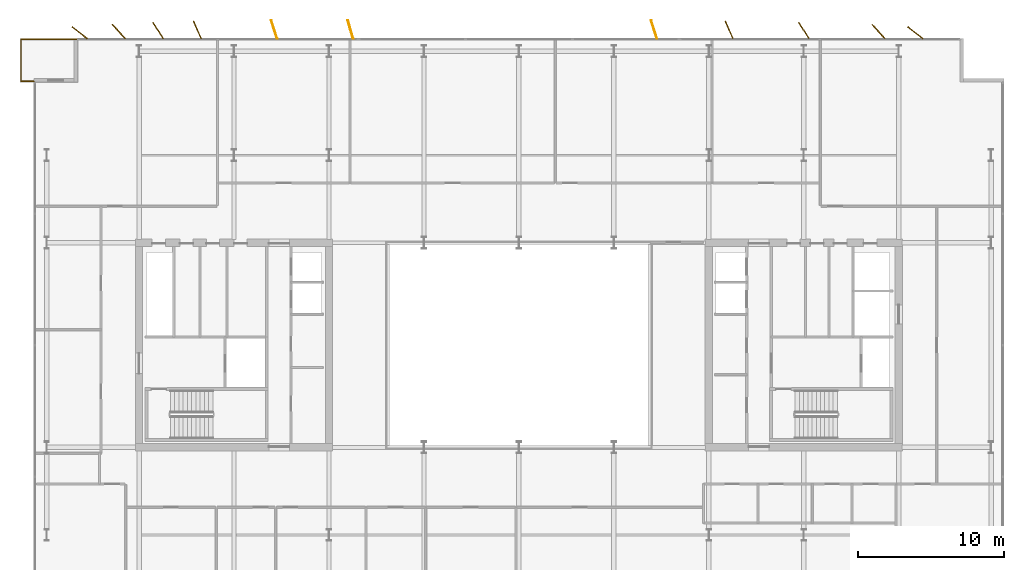
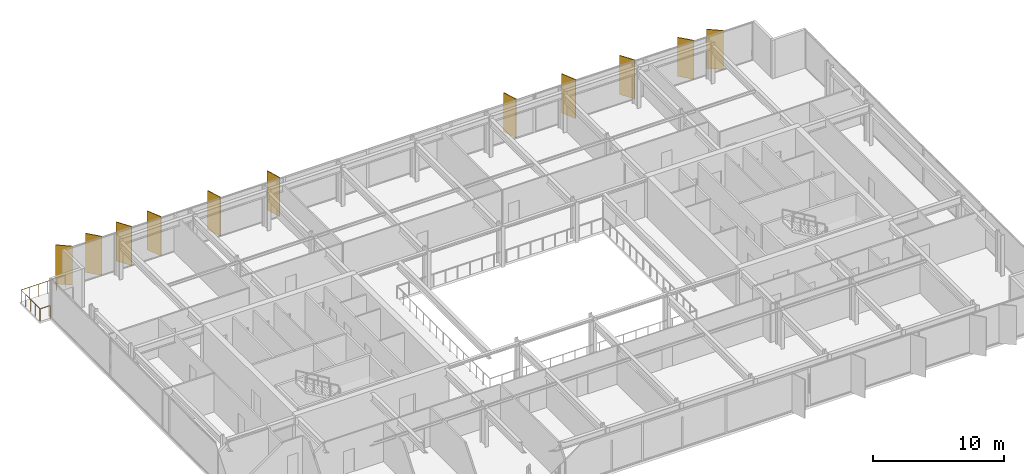
# One storey, part 23 of 23: 11 shading devices, 1 railing.
"""IFC4 building model written with IfcOpenShell, lengths in metres."""

from ifc_helpers import new_model, si_unit, direction, frame, origin, origin_2d, place, context, subcontext, project, spatial, rectangle, circle, extrude, material, layer, layer_set, type_object, element, save


model = new_model("IFC4")

# Units and contexts
model_context = context("Model", 3, precision=1e-05, world=origin(), true_north=direction((0.0, 1.0)))
body_context = subcontext(model_context, "Body", "Model", "MODEL_VIEW")
ifc_project = project(units=[si_unit("LENGTHUNIT", "METRE"), si_unit("AREAUNIT", "SQUARE_METRE"), si_unit("VOLUMEUNIT", "CUBIC_METRE"), si_unit("PLANEANGLEUNIT", "RADIAN"), si_unit("MASSUNIT", "GRAM", prefix="KILO")], contexts=[model_context])

# Site, building, storey
site_placement = place(None, origin())
site = spatial("IfcSite", under=ifc_project, at=site_placement, CompositionType="ELEMENT")
building_placement = place(site_placement, origin())
building = spatial("IfcBuilding", under=site, at=building_placement, Name="Putna Gate Headquarters", CompositionType="ELEMENT")
storey_placement = place(building_placement, frame((0.0, 0.0, 221.39990234375)))
storey = spatial("IfcBuildingStorey", under=building, at=storey_placement, Name="L55", CompositionType="ELEMENT", Elevation=221.39990234375)

# Railing
ifc_material_1 = material(Name="Anodised bronze steel and laminated glass guardrail", Category="steel")
railing_type = type_object("IfcRailingType", Name="RAIL-TERR-GUARD-1150", PredefinedType="GUARDRAIL", material=ifc_material_1)
railing_placement = place(storey_placement, frame((5.800048828125, 44.06005859375, 0.0)))
element("IfcRailing", 1, at=railing_placement, inside=storey, type_object=railing_type, Name="L55 Spiral Sky Terrace Guardrail NW", PredefinedType="GUARDRAIL", context=body_context, shape_type="SweptSolid", body=[
    extrude(circle(Radius=0.02392578125, at=origin_2d()), frame((0.0, 0.0, 1.1259765625), z_axis=(-1.0, 0.0, 0.0), x_axis=(0.0, -1.0, 0.0)), (0.0, 0.0, 1.0), 0.89013671875),
    extrude(circle(Radius=0.02392578125, at=origin_2d()), frame((-0.89013671875, 0.0, 1.1259765625), z_axis=(0.0, 1.0, 0.0), x_axis=(-1.0, 0.0, 0.0)), (0.0, 0.0, 1.0), 2.8798828125),
    extrude(circle(Radius=0.02392578125, at=origin_2d()), frame((-0.89013671875, 2.8798828125, 1.1259765625), z_axis=(1.0, 0.0, 0.0), x_axis=(0.0, 1.0, 0.0)), (0.0, 0.0, 1.0), 3.89013671875),
    extrude(circle(Radius=0.02099609375, at=origin_2d()), origin(), (0.0, 0.0, 1.0), 1.101806640625),
    extrude(circle(Radius=0.02099609375, at=origin_2d()), frame((-0.89013671875, 0.0, 0.0)), (0.0, 0.0, 1.0), 1.101806640625),
    extrude(circle(Radius=0.02099609375, at=origin_2d()), frame((-0.89013671875, 0.719970703125, 0.0)), (0.0, 0.0, 1.0), 1.101806640625),
    extrude(circle(Radius=0.02099609375, at=origin_2d()), frame((-0.89013671875, 1.43994140625, 0.0)), (0.0, 0.0, 1.0), 1.101806640625),
    extrude(circle(Radius=0.02099609375, at=origin_2d()), frame((-0.89013671875, 2.159912109375, 0.0)), (0.0, 0.0, 1.0), 1.101806640625),
    extrude(circle(Radius=0.02099609375, at=origin_2d()), frame((-0.89013671875, 2.8798828125, 0.0)), (0.0, 0.0, 1.0), 1.101806640625),
    extrude(circle(Radius=0.02099609375, at=origin_2d()), frame((-0.112060546875, 2.8798828125, 0.0)), (0.0, 0.0, 1.0), 1.101806640625),
    extrude(circle(Radius=0.02099609375, at=origin_2d()), frame((0.666015625, 2.8798828125, 0.0)), (0.0, 0.0, 1.0), 1.101806640625),
    extrude(circle(Radius=0.02099609375, at=origin_2d()), frame((1.44384765625, 2.8798828125, 0.0)), (0.0, 0.0, 1.0), 1.101806640625),
    extrude(circle(Radius=0.02099609375, at=origin_2d()), frame((2.221923828125, 2.8798828125, 0.0)), (0.0, 0.0, 1.0), 1.101806640625),
    extrude(circle(Radius=0.02099609375, at=origin_2d()), frame((3.0, 2.8798828125, 0.0)), (0.0, 0.0, 1.0), 1.101806640625),
])

# Shading devices
ifc_material_2 = material(Name="Anodised architectural bronze aluminium fin", Category="aluminium")
ifc_layer = layer(ifc_material_2, 0.06494140625)
ifc_layer_set = layer_set([ifc_layer], Name="Anodised architectural bronze aluminium fin")
shading_device_type = type_object("IfcShadingDeviceType", Name="SHADE-BRONZE-FIN-1320", PredefinedType="USERDEFINED", material=ifc_layer_set)
for number, where, z_axis, x_axis, name in (
    (2, (8.930419921875, 47.3818359375, -0.02001953125), (0.0, 0.0, 1.0), (-0.787473187632, 0.616348909921, 0.0), "L55 Bronze Vertical Shading Fin N1"),
    (3, (11.6083984375, 47.465576171875, -0.02001953125), (0.0, 0.0, 1.0), (-0.669130606359, 0.743144825477, 0.0), "L55 Bronze Vertical Shading Fin N2"),
    (4, (14.2998046875, 47.534423828125, -0.02001953125), (0.0, 0.0, 1.0), (-0.530659123936, 0.847585331506, 0.0), "L55 Bronze Vertical Shading Fin N3"),
    (5, (16.985595703125, 47.57958984375, -0.02001953125), (0.0, 0.0, 1.0), (-0.400668879095, 0.916222925562, 0.0), "L55 Bronze Vertical Shading Fin N4"),
    (6, (22.246337890625, 47.602783203125, -0.02001953125), (0.0, 0.0, 1.0), (-0.308684994204, 0.951164325631, 0.0), "L55 Bronze Vertical Shading Fin N5"),
    (7, (27.468017578125, 47.609375, -0.02001953125), (0.0, 0.0, 1.0), (-0.275637355817, 0.961261695938, 0.0), "L55 Bronze Vertical Shading Fin N6"),
    (8, (48.246337890625, 47.602783203125, -0.02001953125), (0.0, 0.0, 1.0), (-0.308684994204, 0.951164325631, 0.0), "L55 Bronze Vertical Shading Fin N7"),
    (9, (53.385498046875, 47.57958984375, -0.02001953125), (0.0, 0.0, 1.0), (-0.400668879095, 0.916222925562, 0.0), "L55 Bronze Vertical Shading Fin N8"),
    (10, (58.499755859375, 47.534423828125, -0.02001953125), (0.0, 0.0, 1.0), (-0.530659123936, 0.847585331506, 0.0), "L55 Bronze Vertical Shading Fin N9"),
    (11, (63.6083984375, 47.465576171875, -0.02001953125), (0.0, 0.0, 1.0), (-0.669130606359, 0.743144825477, 0.0), "L55 Bronze Vertical Shading Fin N10"),
    (12, (66.13037109375, 47.3818359375, -0.02001953125), (0.0, 0.0, 1.0), (-0.787473187632, 0.616348909921, 0.0), "L55 Bronze Vertical Shading Fin N11"),
):
    element("IfcShadingDevice", number, at=place(storey_placement, frame(where, z_axis=z_axis, x_axis=x_axis)), inside=storey, type_object=shading_device_type, Name=name, ObjectType="FIN", PredefinedType="USERDEFINED", context=body_context, shape_type="SweptSolid", body=[
        extrude(rectangle(XDim=1.320068359375, YDim=0.06494140625, at=origin_2d()), origin(), (0.0, 0.0, 1.0), 3.6201171875),
    ])

save(model, "model.ifc")
